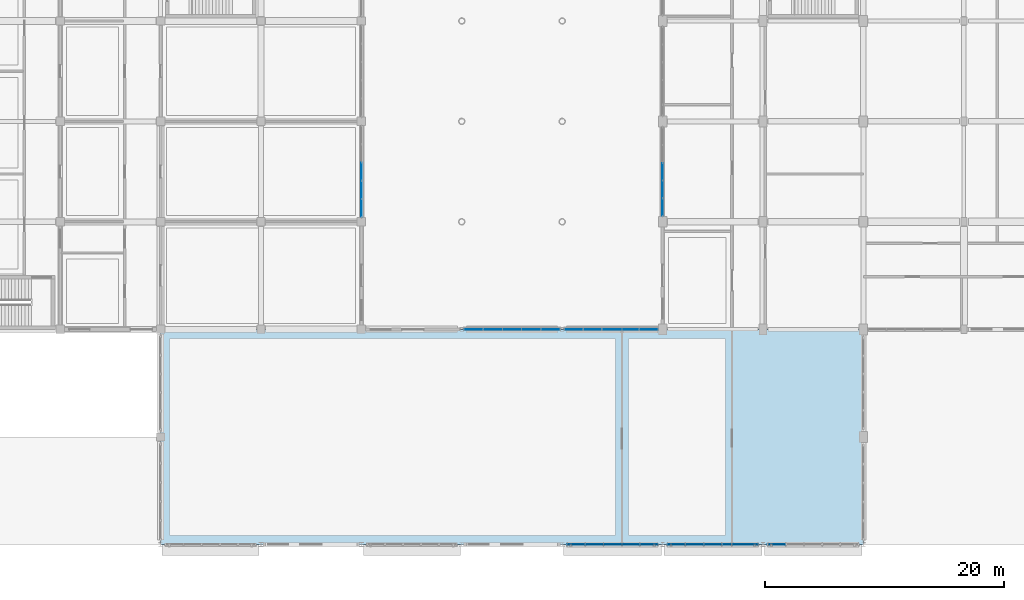
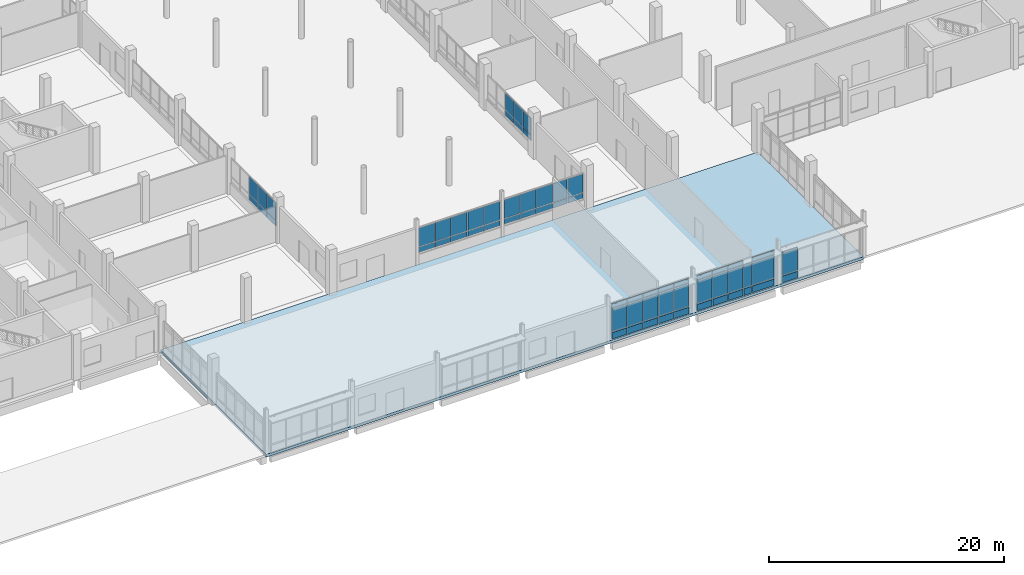
# One storey, part 64 of 95: 63 plates, 1 slab, 7 elements without a shape of their own.
"""IFC4 building model written with IfcOpenShell, lengths in metres."""

from ifc_helpers import new_model, si_unit, direction, frame, origin, origin_2d, place, context, subcontext, project, spatial, polyline, rectangle, outline, extrude, material, layer, layer_set, type_object, element, aggregate, save


model = new_model("IFC4")

# Units and contexts
model_context = context("Model", 3, precision=1e-05, world=origin(), true_north=direction((0.0, 1.0)))
body_context = subcontext(model_context, "Body", "Model", "MODEL_VIEW")
ifc_project = project(units=[si_unit("LENGTHUNIT", "METRE"), si_unit("AREAUNIT", "SQUARE_METRE"), si_unit("VOLUMEUNIT", "CUBIC_METRE"), si_unit("PLANEANGLEUNIT", "RADIAN"), si_unit("MASSUNIT", "GRAM", prefix="KILO")], contexts=[model_context])

# Site, building, storey
site_placement = place(None, origin())
site = spatial("IfcSite", under=ifc_project, at=site_placement, CompositionType="ELEMENT")
building_placement = place(site_placement, origin())
building = spatial("IfcBuilding", under=site, at=building_placement, Name="Vireocrest Preparatory School", CompositionType="ELEMENT")
storey_placement = place(building_placement, origin())
storey = spatial("IfcBuildingStorey", under=building, at=storey_placement, Name="L00", CompositionType="ELEMENT", Elevation=0.0)

# Slab
ifc_material_1 = material(Name="Concrete 40 MPa", Category="concrete")
ifc_layer_1 = layer(ifc_material_1, 0.280029296875)
ifc_layer_set_1 = layer_set([ifc_layer_1], Name="Concrete 40 MPa")
slab_type = type_object("IfcSlabType", Name="Commons and Corridor Suspended RC Slab 280", PredefinedType="FLOOR", material=ifc_layer_set_1)
slab_placement = place(storey_placement, frame((0.0, 0.0, -0.280029296875)))
element("IfcSlab", 1, at=slab_placement, inside=storey, type_object=slab_type, Name="Slab L00_DINING_HALL", PredefinedType="FLOOR", context=body_context, shape_type="SweptSolid", body=[
    extrude(outline(polyline([(50.39990234375, 0.0), (109.199951171875, 0.0), (109.199951171875, 18.0), (50.39990234375, 18.0), (50.39990234375, 0.0)])), origin(), (0.0, 0.0, 1.0), 0.280029296875),
])

# Curtain wall, plates
ifc_material_2 = material(Name="Thermally broken aluminium EN AW-6063-T6", Category="aluminium")
ifc_layer_2 = layer(ifc_material_2, 0.179931640625)
ifc_layer_set_2 = layer_set([ifc_layer_2], Name="Thermally broken aluminium EN AW-6063-T6")
curtain_wall_type_1 = type_object("IfcCurtainWallType", Name="Dining Garden Storefront 8400x4400", PredefinedType="USERDEFINED", material=ifc_layer_set_2)
curtain_wall_1_placement = place(storey_placement, origin())
curtain_wall_1 = element("IfcCurtainWall", 2, at=curtain_wall_1_placement, inside=storey, type_object=curtain_wall_type_1, Name="Curtain Wall CW10 CW_L00_CW10_0843_0000_000", ObjectType="CURTAIN WALL", PredefinedType="USERDEFINED")
ifc_material_3 = material(Name="Painted white aluminium cladding EN AW-6063-T6", Category="aluminium")
ifc_layer_3 = layer(ifc_material_3, 0.114990234375)
ifc_layer_set_3 = layer_set([ifc_layer_3], Name="Painted white aluminium cladding EN AW-6063-T6")
plate_type_1 = type_object("IfcPlateType", Name="Insulated White Spandrel Curtain Panel 115", PredefinedType="CURTAIN_PANEL", material=ifc_layer_set_3)
plate_1_placement = place(storey_placement, frame((85.16845703125, 0.0, 0.12744140625), z_axis=(0.0, 0.0, 1.0), x_axis=(1.0, 0.0, 0.0)))
plate_1 = element("IfcPlate", 3, at=plate_1_placement, type_object=plate_type_1, Name="CW Panel SP2 CW_L00_CW10_0843_0000_000-1-1", PredefinedType="CURTAIN_PANEL", context=body_context, shape_type="SweptSolid", body=[
    extrude(rectangle(XDim=1.456787109375, YDim=0.114990234375, at=origin_2d()), origin(), (0.0, 0.0, 1.0), 0.68994140625),
])
plate_2_placement = place(storey_placement, frame((86.690185546875, 0.0, 0.12744140625), z_axis=(0.0, 0.0, 1.0), x_axis=(1.0, 0.0, 0.0)))
plate_2 = element("IfcPlate", 4, at=plate_2_placement, type_object=plate_type_1, Name="CW Panel SP2 CW_L00_CW10_0843_0000_000-2-1", PredefinedType="CURTAIN_PANEL", context=body_context, shape_type="SweptSolid", body=[
    extrude(rectangle(XDim=1.456787109375, YDim=0.114990234375, at=origin_2d()), origin(), (0.0, 0.0, 1.0), 0.68994140625),
])
plate_3_placement = place(storey_placement, frame((88.2255859375, 0.0, 0.12744140625), z_axis=(0.0, 0.0, 1.0), x_axis=(1.0, 0.0, 0.0)))
plate_3 = element("IfcPlate", 5, at=plate_3_placement, type_object=plate_type_1, Name="CW Panel SP2 CW_L00_CW10_0843_0000_000-3-1", PredefinedType="CURTAIN_PANEL", context=body_context, shape_type="SweptSolid", body=[
    extrude(rectangle(XDim=1.483642578125, YDim=0.114990234375, at=origin_2d()), origin(), (0.0, 0.0, 1.0), 0.68994140625),
])
plate_4_placement = place(storey_placement, frame((89.74755859375, 0.0, 0.12744140625), z_axis=(0.0, 0.0, 1.0), x_axis=(1.0, 0.0, 0.0)))
plate_4 = element("IfcPlate", 6, at=plate_4_placement, type_object=plate_type_1, Name="CW Panel SP2 CW_L00_CW10_0843_0000_000-4-1", PredefinedType="CURTAIN_PANEL", context=body_context, shape_type="SweptSolid", body=[
    extrude(rectangle(XDim=1.43017578125, YDim=0.114990234375, at=origin_2d()), origin(), (0.0, 0.0, 1.0), 0.68994140625),
])
plate_5_placement = place(storey_placement, frame((91.256103515625, 0.0, 0.12744140625), z_axis=(0.0, 0.0, 1.0), x_axis=(1.0, 0.0, 0.0)))
plate_5 = element("IfcPlate", 7, at=plate_5_placement, type_object=plate_type_1, Name="CW Panel SP2 CW_L00_CW10_0843_0000_000-5-1", PredefinedType="CURTAIN_PANEL", context=body_context, shape_type="SweptSolid", body=[
    extrude(rectangle(XDim=1.456787109375, YDim=0.114990234375, at=origin_2d()), origin(), (0.0, 0.0, 1.0), 0.68994140625),
])

curtain_wall_2_placement = place(storey_placement, origin())
curtain_wall_2 = element("IfcCurtainWall", 8, at=curtain_wall_2_placement, inside=storey, type_object=curtain_wall_type_1, Name="Curtain Wall CW10 CW_L00_CW10_0927_0000_000", ObjectType="CURTAIN WALL", PredefinedType="USERDEFINED")
plate_6_placement = place(storey_placement, frame((93.54638671875, 0.0, 0.12744140625), z_axis=(0.0, 0.0, 1.0), x_axis=(1.0, 0.0, 0.0)))
plate_6 = element("IfcPlate", 9, at=plate_6_placement, type_object=plate_type_1, Name="CW Panel SP2 CW_L00_CW10_0927_0000_000-1-1", PredefinedType="CURTAIN_PANEL", context=body_context, shape_type="SweptSolid", body=[
    extrude(rectangle(XDim=1.4619140625, YDim=0.114990234375, at=origin_2d()), origin(), (0.0, 0.0, 1.0), 0.68994140625),
])
plate_7_placement = place(storey_placement, frame((95.0732421875, 0.0, 0.12744140625), z_axis=(0.0, 0.0, 1.0), x_axis=(1.0, 0.0, 0.0)))
plate_7 = element("IfcPlate", 10, at=plate_7_placement, type_object=plate_type_1, Name="CW Panel SP2 CW_L00_CW10_0927_0000_000-2-1", PredefinedType="CURTAIN_PANEL", context=body_context, shape_type="SweptSolid", body=[
    extrude(rectangle(XDim=1.4619140625, YDim=0.114990234375, at=origin_2d()), origin(), (0.0, 0.0, 1.0), 0.68994140625),
])
plate_8_placement = place(storey_placement, frame((96.60009765625, 0.0, 0.12744140625), z_axis=(0.0, 0.0, 1.0), x_axis=(1.0, 0.0, 0.0)))
plate_8 = element("IfcPlate", 11, at=plate_8_placement, type_object=plate_type_1, Name="CW Panel SP2 CW_L00_CW10_0927_0000_000-3-1", PredefinedType="CURTAIN_PANEL", context=body_context, shape_type="SweptSolid", body=[
    extrude(rectangle(XDim=1.4619140625, YDim=0.114990234375, at=origin_2d()), origin(), (0.0, 0.0, 1.0), 0.68994140625),
])
plate_9_placement = place(storey_placement, frame((97.78173828125, 0.0, 0.12744140625), z_axis=(0.0, 0.0, 1.0), x_axis=(1.0, 0.0, 0.0)))
plate_9 = element("IfcPlate", 12, at=plate_9_placement, type_object=plate_type_1, Name="CW Panel SP2 CW_L00_CW10_0927_0000_000-4-1", PredefinedType="CURTAIN_PANEL", context=body_context, shape_type="SweptSolid", body=[
    extrude(rectangle(XDim=0.771484375, YDim=0.114990234375, at=origin_2d()), origin(), (0.0, 0.0, 1.0), 0.68994140625),
])
plate_10_placement = place(storey_placement, frame((99.30859375, 0.0, 0.12744140625), z_axis=(0.0, 0.0, 1.0), x_axis=(1.0, 0.0, 0.0)))
plate_10 = element("IfcPlate", 13, at=plate_10_placement, type_object=plate_type_1, Name="CW Panel SP2 CW_L00_CW10_0927_0000_000-5-1", PredefinedType="CURTAIN_PANEL", context=body_context, shape_type="SweptSolid", body=[
    extrude(rectangle(XDim=2.152099609375, YDim=0.114990234375, at=origin_2d()), origin(), (0.0, 0.0, 1.0), 0.68994140625),
])

# Curtain wall, plate
curtain_wall_3_placement = place(storey_placement, origin())
curtain_wall_3 = element("IfcCurtainWall", 14, at=curtain_wall_3_placement, inside=storey, type_object=curtain_wall_type_1, Name="Curtain Wall CW10 CW_L00_CW10_1011_0000_000", ObjectType="CURTAIN WALL", PredefinedType="USERDEFINED")
plate_11_placement = place(storey_placement, frame((101.944091796875, 0.0, 0.12744140625), z_axis=(0.0, 0.0, 1.0), x_axis=(1.0, 0.0, 0.0)))
plate_11 = element("IfcPlate", 15, at=plate_11_placement, type_object=plate_type_1, Name="CW Panel SP2 CW_L00_CW10_1011_0000_000-1-1", PredefinedType="CURTAIN_PANEL", context=body_context, shape_type="SweptSolid", body=[
    extrude(rectangle(XDim=1.456787109375, YDim=0.114990234375, at=origin_2d()), origin(), (0.0, 0.0, 1.0), 0.68994140625),
])

# Plate
ifc_material_4 = material(Name="Insulated triple low-e tempered safety glass", Category="glass")
ifc_layer_4 = layer(ifc_material_4, 0.06005859375)
ifc_layer_set_4 = layer_set([ifc_layer_4], Name="Insulated triple low-e tempered safety glass")
plate_type_2 = type_object("IfcPlateType", Name="Triple-Glazed Vision Curtain Panel 60", PredefinedType="CURTAIN_PANEL", material=ifc_layer_set_4)
plate_12_placement = place(storey_placement, frame((85.16845703125, 0.0, 0.88232421875), z_axis=(0.0, 0.0, 1.0), x_axis=(1.0, 0.0, 0.0)))
plate_12 = element("IfcPlate", 16, at=plate_12_placement, type_object=plate_type_2, Name="CW Panel GL1 CW_L00_CW10_0843_0000_000-1-2", PredefinedType="CURTAIN_PANEL", context=body_context, shape_type="SweptSolid", body=[
    extrude(rectangle(XDim=1.456787109375, YDim=0.06005859375, at=origin_2d()), origin(), (0.0, 0.0, 1.0), 2.412109375),
])

plate_13_placement = place(storey_placement, frame((85.16845703125, 0.0, 3.359375), z_axis=(0.0, 0.0, 1.0), x_axis=(1.0, 0.0, 0.0)))
plate_13 = element("IfcPlate", 17, at=plate_13_placement, type_object=plate_type_2, Name="CW Panel GL1 CW_L00_CW10_0843_0000_000-1-3", PredefinedType="CURTAIN_PANEL", context=body_context, shape_type="SweptSolid", body=[
    extrude(rectangle(XDim=1.456787109375, YDim=0.06005859375, at=origin_2d()), origin(), (0.0, 0.0, 1.0), 0.409912109375),
])

plate_14_placement = place(storey_placement, frame((86.690185546875, 0.0, 0.88232421875), z_axis=(0.0, 0.0, 1.0), x_axis=(1.0, 0.0, 0.0)))
plate_14 = element("IfcPlate", 18, at=plate_14_placement, type_object=plate_type_2, Name="CW Panel GL1 CW_L00_CW10_0843_0000_000-2-2", PredefinedType="CURTAIN_PANEL", context=body_context, shape_type="SweptSolid", body=[
    extrude(rectangle(XDim=1.456787109375, YDim=0.06005859375, at=origin_2d()), origin(), (0.0, 0.0, 1.0), 2.412109375),
])

plate_15_placement = place(storey_placement, frame((86.690185546875, 0.0, 3.359375), z_axis=(0.0, 0.0, 1.0), x_axis=(1.0, 0.0, 0.0)))
plate_15 = element("IfcPlate", 19, at=plate_15_placement, type_object=plate_type_2, Name="CW Panel GL1 CW_L00_CW10_0843_0000_000-2-3", PredefinedType="CURTAIN_PANEL", context=body_context, shape_type="SweptSolid", body=[
    extrude(rectangle(XDim=1.456787109375, YDim=0.06005859375, at=origin_2d()), origin(), (0.0, 0.0, 1.0), 0.409912109375),
])

plate_16_placement = place(storey_placement, frame((88.2255859375, 0.0, 0.88232421875), z_axis=(0.0, 0.0, 1.0), x_axis=(1.0, 0.0, 0.0)))
plate_16 = element("IfcPlate", 20, at=plate_16_placement, type_object=plate_type_2, Name="CW Panel GL1 CW_L00_CW10_0843_0000_000-3-2", PredefinedType="CURTAIN_PANEL", context=body_context, shape_type="SweptSolid", body=[
    extrude(rectangle(XDim=1.483642578125, YDim=0.06005859375, at=origin_2d()), origin(), (0.0, 0.0, 1.0), 2.412109375),
])

plate_17_placement = place(storey_placement, frame((88.2255859375, 0.0, 3.359375), z_axis=(0.0, 0.0, 1.0), x_axis=(1.0, 0.0, 0.0)))
plate_17 = element("IfcPlate", 21, at=plate_17_placement, type_object=plate_type_2, Name="CW Panel GL1 CW_L00_CW10_0843_0000_000-3-3", PredefinedType="CURTAIN_PANEL", context=body_context, shape_type="SweptSolid", body=[
    extrude(rectangle(XDim=1.483642578125, YDim=0.06005859375, at=origin_2d()), origin(), (0.0, 0.0, 1.0), 0.409912109375),
])

plate_18_placement = place(storey_placement, frame((89.74755859375, 0.0, 0.88232421875), z_axis=(0.0, 0.0, 1.0), x_axis=(1.0, 0.0, 0.0)))
plate_18 = element("IfcPlate", 22, at=plate_18_placement, type_object=plate_type_2, Name="CW Panel GL1 CW_L00_CW10_0843_0000_000-4-2", PredefinedType="CURTAIN_PANEL", context=body_context, shape_type="SweptSolid", body=[
    extrude(rectangle(XDim=1.43017578125, YDim=0.06005859375, at=origin_2d()), origin(), (0.0, 0.0, 1.0), 2.412109375),
])

plate_19_placement = place(storey_placement, frame((89.74755859375, 0.0, 3.359375), z_axis=(0.0, 0.0, 1.0), x_axis=(1.0, 0.0, 0.0)))
plate_19 = element("IfcPlate", 23, at=plate_19_placement, type_object=plate_type_2, Name="CW Panel GL1 CW_L00_CW10_0843_0000_000-4-3", PredefinedType="CURTAIN_PANEL", context=body_context, shape_type="SweptSolid", body=[
    extrude(rectangle(XDim=1.43017578125, YDim=0.06005859375, at=origin_2d()), origin(), (0.0, 0.0, 1.0), 0.409912109375),
])

plate_20_placement = place(storey_placement, frame((91.256103515625, 0.0, 0.88232421875), z_axis=(0.0, 0.0, 1.0), x_axis=(1.0, 0.0, 0.0)))
plate_20 = element("IfcPlate", 24, at=plate_20_placement, type_object=plate_type_2, Name="CW Panel GL1 CW_L00_CW10_0843_0000_000-5-2", PredefinedType="CURTAIN_PANEL", context=body_context, shape_type="SweptSolid", body=[
    extrude(rectangle(XDim=1.456787109375, YDim=0.06005859375, at=origin_2d()), origin(), (0.0, 0.0, 1.0), 2.412109375),
])

plate_21_placement = place(storey_placement, frame((91.256103515625, 0.0, 3.359375), z_axis=(0.0, 0.0, 1.0), x_axis=(1.0, 0.0, 0.0)))
plate_21 = element("IfcPlate", 25, at=plate_21_placement, type_object=plate_type_2, Name="CW Panel GL1 CW_L00_CW10_0843_0000_000-5-3", PredefinedType="CURTAIN_PANEL", context=body_context, shape_type="SweptSolid", body=[
    extrude(rectangle(XDim=1.456787109375, YDim=0.06005859375, at=origin_2d()), origin(), (0.0, 0.0, 1.0), 0.409912109375),
])

aggregate(curtain_wall_1, [plate_1, plate_12, plate_13, plate_2, plate_14, plate_15, plate_3, plate_16, plate_17, plate_4, plate_18, plate_19, plate_5, plate_20, plate_21])

plate_22_placement = place(storey_placement, frame((93.54638671875, 0.0, 0.88232421875), z_axis=(0.0, 0.0, 1.0), x_axis=(1.0, 0.0, 0.0)))
plate_22 = element("IfcPlate", 26, at=plate_22_placement, type_object=plate_type_2, Name="CW Panel GL1 CW_L00_CW10_0927_0000_000-1-2", PredefinedType="CURTAIN_PANEL", context=body_context, shape_type="SweptSolid", body=[
    extrude(rectangle(XDim=1.4619140625, YDim=0.06005859375, at=origin_2d()), origin(), (0.0, 0.0, 1.0), 2.412109375),
])

plate_23_placement = place(storey_placement, frame((93.54638671875, 0.0, 3.359375), z_axis=(0.0, 0.0, 1.0), x_axis=(1.0, 0.0, 0.0)))
plate_23 = element("IfcPlate", 27, at=plate_23_placement, type_object=plate_type_2, Name="CW Panel GL1 CW_L00_CW10_0927_0000_000-1-3", PredefinedType="CURTAIN_PANEL", context=body_context, shape_type="SweptSolid", body=[
    extrude(rectangle(XDim=1.4619140625, YDim=0.06005859375, at=origin_2d()), origin(), (0.0, 0.0, 1.0), 0.409912109375),
])

plate_24_placement = place(storey_placement, frame((95.0732421875, 0.0, 0.88232421875), z_axis=(0.0, 0.0, 1.0), x_axis=(1.0, 0.0, 0.0)))
plate_24 = element("IfcPlate", 28, at=plate_24_placement, type_object=plate_type_2, Name="CW Panel GL1 CW_L00_CW10_0927_0000_000-2-2", PredefinedType="CURTAIN_PANEL", context=body_context, shape_type="SweptSolid", body=[
    extrude(rectangle(XDim=1.4619140625, YDim=0.06005859375, at=origin_2d()), origin(), (0.0, 0.0, 1.0), 2.412109375),
])

plate_25_placement = place(storey_placement, frame((95.0732421875, 0.0, 3.359375), z_axis=(0.0, 0.0, 1.0), x_axis=(1.0, 0.0, 0.0)))
plate_25 = element("IfcPlate", 29, at=plate_25_placement, type_object=plate_type_2, Name="CW Panel GL1 CW_L00_CW10_0927_0000_000-2-3", PredefinedType="CURTAIN_PANEL", context=body_context, shape_type="SweptSolid", body=[
    extrude(rectangle(XDim=1.4619140625, YDim=0.06005859375, at=origin_2d()), origin(), (0.0, 0.0, 1.0), 0.409912109375),
])

plate_26_placement = place(storey_placement, frame((96.60009765625, 0.0, 0.88232421875), z_axis=(0.0, 0.0, 1.0), x_axis=(1.0, 0.0, 0.0)))
plate_26 = element("IfcPlate", 30, at=plate_26_placement, type_object=plate_type_2, Name="CW Panel GL1 CW_L00_CW10_0927_0000_000-3-2", PredefinedType="CURTAIN_PANEL", context=body_context, shape_type="SweptSolid", body=[
    extrude(rectangle(XDim=1.4619140625, YDim=0.06005859375, at=origin_2d()), origin(), (0.0, 0.0, 1.0), 2.412109375),
])

plate_27_placement = place(storey_placement, frame((96.60009765625, 0.0, 3.359375), z_axis=(0.0, 0.0, 1.0), x_axis=(1.0, 0.0, 0.0)))
plate_27 = element("IfcPlate", 31, at=plate_27_placement, type_object=plate_type_2, Name="CW Panel GL1 CW_L00_CW10_0927_0000_000-3-3", PredefinedType="CURTAIN_PANEL", context=body_context, shape_type="SweptSolid", body=[
    extrude(rectangle(XDim=1.4619140625, YDim=0.06005859375, at=origin_2d()), origin(), (0.0, 0.0, 1.0), 0.409912109375),
])

plate_28_placement = place(storey_placement, frame((97.78173828125, 0.0, 0.88232421875), z_axis=(0.0, 0.0, 1.0), x_axis=(1.0, 0.0, 0.0)))
plate_28 = element("IfcPlate", 32, at=plate_28_placement, type_object=plate_type_2, Name="CW Panel GL1 CW_L00_CW10_0927_0000_000-4-2", PredefinedType="CURTAIN_PANEL", context=body_context, shape_type="SweptSolid", body=[
    extrude(rectangle(XDim=0.771484375, YDim=0.06005859375, at=origin_2d()), origin(), (0.0, 0.0, 1.0), 2.412109375),
])

plate_29_placement = place(storey_placement, frame((99.30859375, 0.0, 0.88232421875), z_axis=(0.0, 0.0, 1.0), x_axis=(1.0, 0.0, 0.0)))
plate_29 = element("IfcPlate", 33, at=plate_29_placement, type_object=plate_type_2, Name="CW Panel GL1 CW_L00_CW10_0927_0000_000-5-2", PredefinedType="CURTAIN_PANEL", context=body_context, shape_type="SweptSolid", body=[
    extrude(rectangle(XDim=2.152099609375, YDim=0.06005859375, at=origin_2d()), origin(), (0.0, 0.0, 1.0), 2.412109375),
])

plate_30_placement = place(storey_placement, frame((99.30859375, 0.0, 3.359375), z_axis=(0.0, 0.0, 1.0), x_axis=(1.0, 0.0, 0.0)))
plate_30 = element("IfcPlate", 34, at=plate_30_placement, type_object=plate_type_2, Name="CW Panel GL1 CW_L00_CW10_0927_0000_000-5-3", PredefinedType="CURTAIN_PANEL", context=body_context, shape_type="SweptSolid", body=[
    extrude(rectangle(XDim=2.152099609375, YDim=0.06005859375, at=origin_2d()), origin(), (0.0, 0.0, 1.0), 0.409912109375),
])

aggregate(curtain_wall_2, [plate_6, plate_22, plate_23, plate_7, plate_24, plate_25, plate_8, plate_26, plate_27, plate_9, plate_28, plate_10, plate_29, plate_30])

plate_31_placement = place(storey_placement, frame((101.944091796875, 0.0, 0.88232421875), z_axis=(0.0, 0.0, 1.0), x_axis=(1.0, 0.0, 0.0)))
plate_31 = element("IfcPlate", 35, at=plate_31_placement, type_object=plate_type_2, Name="CW Panel GL1 CW_L00_CW10_1011_0000_000-1-2", PredefinedType="CURTAIN_PANEL", context=body_context, shape_type="SweptSolid", body=[
    extrude(rectangle(XDim=1.456787109375, YDim=0.06005859375, at=origin_2d()), origin(), (0.0, 0.0, 1.0), 2.412109375),
])

aggregate(curtain_wall_3, [plate_11, plate_31])

# Curtain wall, plates
ifc_layer_5 = layer(ifc_material_2, 0.179931640625)
ifc_layer_set_5 = layer_set([ifc_layer_5], Name="Thermally broken aluminium EN AW-6063-T6")
curtain_wall_type_2 = type_object("IfcCurtainWallType", Name="Court Banded Curtain Wall 8400x3600", PredefinedType="USERDEFINED", material=ifc_layer_set_5)
curtain_wall_4_placement = place(storey_placement, origin())
curtain_wall_4 = element("IfcCurtainWall", 36, at=curtain_wall_4_placement, inside=storey, type_object=curtain_wall_type_2, Name="Curtain Wall CW01 CW_L00_CW01_0672_0273_012", ObjectType="CURTAIN WALL", PredefinedType="USERDEFINED")
plate_32_placement = place(storey_placement, frame((67.199951171875, 28.14794921875, 1.277587890625), z_axis=(0.0, 0.0, 1.0), x_axis=(0.0, 1.0, 0.0)))
plate_32 = element("IfcPlate", 37, at=plate_32_placement, type_object=plate_type_2, Name="CW Panel GL1 CW_L00_CW01_0672_0273_012-1-1", PredefinedType="CURTAIN_PANEL", context=body_context, shape_type="SweptSolid", body=[
    extrude(rectangle(XDim=1.4609375, YDim=0.06005859375, at=origin_2d()), origin(), (0.0, 0.0, 1.0), 0.5400390625),
])
plate_33_placement = place(storey_placement, frame((67.199951171875, 28.14794921875, 1.88232421875), z_axis=(0.0, 0.0, 1.0), x_axis=(0.0, 1.0, 0.0)))
plate_33 = element("IfcPlate", 38, at=plate_33_placement, type_object=plate_type_2, Name="CW Panel GL1 CW_L00_CW01_0672_0273_012-1-2", PredefinedType="CURTAIN_PANEL", context=body_context, shape_type="SweptSolid", body=[
    extrude(rectangle(XDim=1.4609375, YDim=0.06005859375, at=origin_2d()), origin(), (0.0, 0.0, 1.0), 1.820068359375),
])
plate_34_placement = place(storey_placement, frame((67.199951171875, 29.674072265625, 1.277587890625), z_axis=(0.0, 0.0, 1.0), x_axis=(0.0, 1.0, 0.0)))
plate_34 = element("IfcPlate", 39, at=plate_34_placement, type_object=plate_type_2, Name="CW Panel GL1 CW_L00_CW01_0672_0273_012-2-1", PredefinedType="CURTAIN_PANEL", context=body_context, shape_type="SweptSolid", body=[
    extrude(rectangle(XDim=1.4609375, YDim=0.06005859375, at=origin_2d()), origin(), (0.0, 0.0, 1.0), 0.5400390625),
])
plate_35_placement = place(storey_placement, frame((67.199951171875, 29.674072265625, 1.88232421875), z_axis=(0.0, 0.0, 1.0), x_axis=(0.0, 1.0, 0.0)))
plate_35 = element("IfcPlate", 40, at=plate_35_placement, type_object=plate_type_2, Name="CW Panel GL1 CW_L00_CW01_0672_0273_012-2-2", PredefinedType="CURTAIN_PANEL", context=body_context, shape_type="SweptSolid", body=[
    extrude(rectangle(XDim=1.4609375, YDim=0.06005859375, at=origin_2d()), origin(), (0.0, 0.0, 1.0), 1.820068359375),
])
plate_36_placement = place(storey_placement, frame((67.199951171875, 31.199951171875, 1.277587890625), z_axis=(0.0, 0.0, 1.0), x_axis=(0.0, 1.0, 0.0)))
plate_36 = element("IfcPlate", 41, at=plate_36_placement, type_object=plate_type_2, Name="CW Panel GL1 CW_L00_CW01_0672_0273_012-3-1", PredefinedType="CURTAIN_PANEL", context=body_context, shape_type="SweptSolid", body=[
    extrude(rectangle(XDim=1.4609375, YDim=0.06005859375, at=origin_2d()), origin(), (0.0, 0.0, 1.0), 0.5400390625),
])
plate_37_placement = place(storey_placement, frame((67.199951171875, 31.199951171875, 1.88232421875), z_axis=(0.0, 0.0, 1.0), x_axis=(0.0, 1.0, 0.0)))
plate_37 = element("IfcPlate", 42, at=plate_37_placement, type_object=plate_type_2, Name="CW Panel GL1 CW_L00_CW01_0672_0273_012-3-2", PredefinedType="CURTAIN_PANEL", context=body_context, shape_type="SweptSolid", body=[
    extrude(rectangle(XDim=1.4609375, YDim=0.06005859375, at=origin_2d()), origin(), (0.0, 0.0, 1.0), 1.820068359375),
])
aggregate(curtain_wall_4, [plate_32, plate_33, plate_34, plate_35, plate_36, plate_37])

curtain_wall_5_placement = place(storey_placement, origin())
curtain_wall_5 = element("IfcCurtainWall", 43, at=curtain_wall_5_placement, inside=storey, type_object=curtain_wall_type_2, Name="Curtain Wall CW01 CW_L00_CW01_0924_0274_012", ObjectType="CURTAIN WALL", PredefinedType="USERDEFINED")
plate_38_placement = place(storey_placement, frame((92.39990234375, 28.22802734375, 1.277587890625), z_axis=(0.0, 0.0, 1.0), x_axis=(0.0, 1.0, 0.0)))
plate_38 = element("IfcPlate", 44, at=plate_38_placement, type_object=plate_type_2, Name="CW Panel GL1 CW_L00_CW01_0924_0274_012-1-1", PredefinedType="CURTAIN_PANEL", context=body_context, shape_type="SweptSolid", body=[
    extrude(rectangle(XDim=1.4208984375, YDim=0.06005859375, at=origin_2d()), origin(), (0.0, 0.0, 1.0), 0.5400390625),
])
plate_39_placement = place(storey_placement, frame((92.39990234375, 28.22802734375, 1.88232421875), z_axis=(0.0, 0.0, 1.0), x_axis=(0.0, 1.0, 0.0)))
plate_39 = element("IfcPlate", 45, at=plate_39_placement, type_object=plate_type_2, Name="CW Panel GL1 CW_L00_CW01_0924_0274_012-1-2", PredefinedType="CURTAIN_PANEL", context=body_context, shape_type="SweptSolid", body=[
    extrude(rectangle(XDim=1.4208984375, YDim=0.06005859375, at=origin_2d()), origin(), (0.0, 0.0, 1.0), 1.699951171875),
])
plate_40_placement = place(storey_placement, frame((92.39990234375, 29.714111328125, 1.277587890625), z_axis=(0.0, 0.0, 1.0), x_axis=(0.0, 1.0, 0.0)))
plate_40 = element("IfcPlate", 46, at=plate_40_placement, type_object=plate_type_2, Name="CW Panel GL1 CW_L00_CW01_0924_0274_012-2-1", PredefinedType="CURTAIN_PANEL", context=body_context, shape_type="SweptSolid", body=[
    extrude(rectangle(XDim=1.4208984375, YDim=0.06005859375, at=origin_2d()), origin(), (0.0, 0.0, 1.0), 0.5400390625),
])
plate_41_placement = place(storey_placement, frame((92.39990234375, 29.714111328125, 1.88232421875), z_axis=(0.0, 0.0, 1.0), x_axis=(0.0, 1.0, 0.0)))
plate_41 = element("IfcPlate", 47, at=plate_41_placement, type_object=plate_type_2, Name="CW Panel GL1 CW_L00_CW01_0924_0274_012-2-2", PredefinedType="CURTAIN_PANEL", context=body_context, shape_type="SweptSolid", body=[
    extrude(rectangle(XDim=1.4208984375, YDim=0.06005859375, at=origin_2d()), origin(), (0.0, 0.0, 1.0), 1.699951171875),
])
plate_42_placement = place(storey_placement, frame((92.39990234375, 31.199951171875, 1.277587890625), z_axis=(0.0, 0.0, 1.0), x_axis=(0.0, 1.0, 0.0)))
plate_42 = element("IfcPlate", 48, at=plate_42_placement, type_object=plate_type_2, Name="CW Panel GL1 CW_L00_CW01_0924_0274_012-3-1", PredefinedType="CURTAIN_PANEL", context=body_context, shape_type="SweptSolid", body=[
    extrude(rectangle(XDim=1.4208984375, YDim=0.06005859375, at=origin_2d()), origin(), (0.0, 0.0, 1.0), 0.5400390625),
])
plate_43_placement = place(storey_placement, frame((92.39990234375, 31.199951171875, 1.88232421875), z_axis=(0.0, 0.0, 1.0), x_axis=(0.0, 1.0, 0.0)))
plate_43 = element("IfcPlate", 49, at=plate_43_placement, type_object=plate_type_2, Name="CW Panel GL1 CW_L00_CW01_0924_0274_012-3-2", PredefinedType="CURTAIN_PANEL", context=body_context, shape_type="SweptSolid", body=[
    extrude(rectangle(XDim=1.4208984375, YDim=0.06005859375, at=origin_2d()), origin(), (0.0, 0.0, 1.0), 1.699951171875),
])
aggregate(curtain_wall_5, [plate_38, plate_39, plate_40, plate_41, plate_42, plate_43])

curtain_wall_6_placement = place(storey_placement, origin())
curtain_wall_6 = element("IfcCurtainWall", 50, at=curtain_wall_6_placement, inside=storey, type_object=curtain_wall_type_2, Name="Curtain Wall CW01 CW_L00_CW01_0757_0180_011", ObjectType="CURTAIN WALL", PredefinedType="USERDEFINED")
plate_44_placement = place(storey_placement, frame((76.58984375, 18.0, 1.2275390625), z_axis=(0.0, 0.0, 1.0), x_axis=(1.0, 0.0, 0.0)))
plate_44 = element("IfcPlate", 51, at=plate_44_placement, type_object=plate_type_2, Name="CW Panel GL1 CW_L00_CW01_0757_0180_011-1-1", PredefinedType="CURTAIN_PANEL", context=body_context, shape_type="SweptSolid", body=[
    extrude(rectangle(XDim=1.5400390625, YDim=0.06005859375, at=origin_2d()), origin(), (0.0, 0.0, 1.0), 0.5400390625),
])
plate_45_placement = place(storey_placement, frame((76.58984375, 18.0, 1.83251953125), z_axis=(0.0, 0.0, 1.0), x_axis=(1.0, 0.0, 0.0)))
plate_45 = element("IfcPlate", 52, at=plate_45_placement, type_object=plate_type_2, Name="CW Panel GL1 CW_L00_CW01_0757_0180_011-1-2", PredefinedType="CURTAIN_PANEL", context=body_context, shape_type="SweptSolid", body=[
    extrude(rectangle(XDim=1.5400390625, YDim=0.06005859375, at=origin_2d()), origin(), (0.0, 0.0, 1.0), 1.93701171875),
])
plate_46_placement = place(storey_placement, frame((78.195068359375, 18.0, 1.2275390625), z_axis=(0.0, 0.0, 1.0), x_axis=(1.0, 0.0, 0.0)))
plate_46 = element("IfcPlate", 53, at=plate_46_placement, type_object=plate_type_2, Name="CW Panel GL1 CW_L00_CW01_0757_0180_011-2-1", PredefinedType="CURTAIN_PANEL", context=body_context, shape_type="SweptSolid", body=[
    extrude(rectangle(XDim=1.5400390625, YDim=0.06005859375, at=origin_2d()), origin(), (0.0, 0.0, 1.0), 0.5400390625),
])
plate_47_placement = place(storey_placement, frame((78.195068359375, 18.0, 1.83251953125), z_axis=(0.0, 0.0, 1.0), x_axis=(1.0, 0.0, 0.0)))
plate_47 = element("IfcPlate", 54, at=plate_47_placement, type_object=plate_type_2, Name="CW Panel GL1 CW_L00_CW01_0757_0180_011-2-2", PredefinedType="CURTAIN_PANEL", context=body_context, shape_type="SweptSolid", body=[
    extrude(rectangle(XDim=1.5400390625, YDim=0.06005859375, at=origin_2d()), origin(), (0.0, 0.0, 1.0), 1.93701171875),
])
plate_48_placement = place(storey_placement, frame((79.800048828125, 18.0, 1.2275390625), z_axis=(0.0, 0.0, 1.0), x_axis=(1.0, 0.0, 0.0)))
plate_48 = element("IfcPlate", 55, at=plate_48_placement, type_object=plate_type_2, Name="CW Panel GL1 CW_L00_CW01_0757_0180_011-3-1", PredefinedType="CURTAIN_PANEL", context=body_context, shape_type="SweptSolid", body=[
    extrude(rectangle(XDim=1.5400390625, YDim=0.06005859375, at=origin_2d()), origin(), (0.0, 0.0, 1.0), 0.5400390625),
])
plate_49_placement = place(storey_placement, frame((79.800048828125, 18.0, 1.83251953125), z_axis=(0.0, 0.0, 1.0), x_axis=(1.0, 0.0, 0.0)))
plate_49 = element("IfcPlate", 56, at=plate_49_placement, type_object=plate_type_2, Name="CW Panel GL1 CW_L00_CW01_0757_0180_011-3-2", PredefinedType="CURTAIN_PANEL", context=body_context, shape_type="SweptSolid", body=[
    extrude(rectangle(XDim=1.5400390625, YDim=0.06005859375, at=origin_2d()), origin(), (0.0, 0.0, 1.0), 1.93701171875),
])
plate_50_placement = place(storey_placement, frame((81.405029296875, 18.0, 1.2275390625), z_axis=(0.0, 0.0, 1.0), x_axis=(1.0, 0.0, 0.0)))
plate_50 = element("IfcPlate", 57, at=plate_50_placement, type_object=plate_type_2, Name="CW Panel GL1 CW_L00_CW01_0757_0180_011-4-1", PredefinedType="CURTAIN_PANEL", context=body_context, shape_type="SweptSolid", body=[
    extrude(rectangle(XDim=1.5400390625, YDim=0.06005859375, at=origin_2d()), origin(), (0.0, 0.0, 1.0), 0.5400390625),
])
plate_51_placement = place(storey_placement, frame((81.405029296875, 18.0, 1.83251953125), z_axis=(0.0, 0.0, 1.0), x_axis=(1.0, 0.0, 0.0)))
plate_51 = element("IfcPlate", 58, at=plate_51_placement, type_object=plate_type_2, Name="CW Panel GL1 CW_L00_CW01_0757_0180_011-4-2", PredefinedType="CURTAIN_PANEL", context=body_context, shape_type="SweptSolid", body=[
    extrude(rectangle(XDim=1.5400390625, YDim=0.06005859375, at=origin_2d()), origin(), (0.0, 0.0, 1.0), 1.93701171875),
])
plate_52_placement = place(storey_placement, frame((83.010009765625, 18.0, 1.2275390625), z_axis=(0.0, 0.0, 1.0), x_axis=(1.0, 0.0, 0.0)))
plate_52 = element("IfcPlate", 59, at=plate_52_placement, type_object=plate_type_2, Name="CW Panel GL1 CW_L00_CW01_0757_0180_011-5-1", PredefinedType="CURTAIN_PANEL", context=body_context, shape_type="SweptSolid", body=[
    extrude(rectangle(XDim=1.5400390625, YDim=0.06005859375, at=origin_2d()), origin(), (0.0, 0.0, 1.0), 0.5400390625),
])
plate_53_placement = place(storey_placement, frame((83.010009765625, 18.0, 1.83251953125), z_axis=(0.0, 0.0, 1.0), x_axis=(1.0, 0.0, 0.0)))
plate_53 = element("IfcPlate", 60, at=plate_53_placement, type_object=plate_type_2, Name="CW Panel GL1 CW_L00_CW01_0757_0180_011-5-2", PredefinedType="CURTAIN_PANEL", context=body_context, shape_type="SweptSolid", body=[
    extrude(rectangle(XDim=1.5400390625, YDim=0.06005859375, at=origin_2d()), origin(), (0.0, 0.0, 1.0), 1.93701171875),
])
aggregate(curtain_wall_6, [plate_44, plate_45, plate_46, plate_47, plate_48, plate_49, plate_50, plate_51, plate_52, plate_53])

curtain_wall_7_placement = place(storey_placement, origin())
curtain_wall_7 = element("IfcCurtainWall", 61, at=curtain_wall_7_placement, inside=storey, type_object=curtain_wall_type_2, Name="Curtain Wall CW01 CW_L00_CW01_0841_0180_011", ObjectType="CURTAIN WALL", PredefinedType="USERDEFINED")
plate_54_placement = place(storey_placement, frame((84.97021484375, 18.0, 1.2275390625), z_axis=(0.0, 0.0, 1.0), x_axis=(1.0, 0.0, 0.0)))
plate_54 = element("IfcPlate", 62, at=plate_54_placement, type_object=plate_type_2, Name="CW Panel GL1 CW_L00_CW01_0841_0180_011-1-1", PredefinedType="CURTAIN_PANEL", context=body_context, shape_type="SweptSolid", body=[
    extrude(rectangle(XDim=1.50048828125, YDim=0.06005859375, at=origin_2d()), origin(), (0.0, 0.0, 1.0), 0.5400390625),
])
plate_55_placement = place(storey_placement, frame((84.97021484375, 18.0, 1.83251953125), z_axis=(0.0, 0.0, 1.0), x_axis=(1.0, 0.0, 0.0)))
plate_55 = element("IfcPlate", 63, at=plate_55_placement, type_object=plate_type_2, Name="CW Panel GL1 CW_L00_CW01_0841_0180_011-1-2", PredefinedType="CURTAIN_PANEL", context=body_context, shape_type="SweptSolid", body=[
    extrude(rectangle(XDim=1.50048828125, YDim=0.06005859375, at=origin_2d()), origin(), (0.0, 0.0, 1.0), 1.93701171875),
])
plate_56_placement = place(storey_placement, frame((86.53564453125, 18.0, 1.2275390625), z_axis=(0.0, 0.0, 1.0), x_axis=(1.0, 0.0, 0.0)))
plate_56 = element("IfcPlate", 64, at=plate_56_placement, type_object=plate_type_2, Name="CW Panel GL1 CW_L00_CW01_0841_0180_011-2-1", PredefinedType="CURTAIN_PANEL", context=body_context, shape_type="SweptSolid", body=[
    extrude(rectangle(XDim=1.50048828125, YDim=0.06005859375, at=origin_2d()), origin(), (0.0, 0.0, 1.0), 0.5400390625),
])
plate_57_placement = place(storey_placement, frame((86.53564453125, 18.0, 1.83251953125), z_axis=(0.0, 0.0, 1.0), x_axis=(1.0, 0.0, 0.0)))
plate_57 = element("IfcPlate", 65, at=plate_57_placement, type_object=plate_type_2, Name="CW Panel GL1 CW_L00_CW01_0841_0180_011-2-2", PredefinedType="CURTAIN_PANEL", context=body_context, shape_type="SweptSolid", body=[
    extrude(rectangle(XDim=1.50048828125, YDim=0.06005859375, at=origin_2d()), origin(), (0.0, 0.0, 1.0), 1.93701171875),
])
plate_58_placement = place(storey_placement, frame((88.1591796875, 18.0, 1.2275390625), z_axis=(0.0, 0.0, 1.0), x_axis=(1.0, 0.0, 0.0)))
plate_58 = element("IfcPlate", 66, at=plate_58_placement, type_object=plate_type_2, Name="CW Panel GL1 CW_L00_CW01_0841_0180_011-3-1", PredefinedType="CURTAIN_PANEL", context=body_context, shape_type="SweptSolid", body=[
    extrude(rectangle(XDim=1.61669921875, YDim=0.06005859375, at=origin_2d()), origin(), (0.0, 0.0, 1.0), 0.5400390625),
])
plate_59_placement = place(storey_placement, frame((88.1591796875, 18.0, 1.83251953125), z_axis=(0.0, 0.0, 1.0), x_axis=(1.0, 0.0, 0.0)))
plate_59 = element("IfcPlate", 67, at=plate_59_placement, type_object=plate_type_2, Name="CW Panel GL1 CW_L00_CW01_0841_0180_011-3-2", PredefinedType="CURTAIN_PANEL", context=body_context, shape_type="SweptSolid", body=[
    extrude(rectangle(XDim=1.61669921875, YDim=0.06005859375, at=origin_2d()), origin(), (0.0, 0.0, 1.0), 1.93701171875),
])
plate_60_placement = place(storey_placement, frame((89.724853515625, 18.0, 1.2275390625), z_axis=(0.0, 0.0, 1.0), x_axis=(1.0, 0.0, 0.0)))
plate_60 = element("IfcPlate", 68, at=plate_60_placement, type_object=plate_type_2, Name="CW Panel GL1 CW_L00_CW01_0841_0180_011-4-1", PredefinedType="CURTAIN_PANEL", context=body_context, shape_type="SweptSolid", body=[
    extrude(rectangle(XDim=1.384521484375, YDim=0.06005859375, at=origin_2d()), origin(), (0.0, 0.0, 1.0), 0.5400390625),
])
plate_61_placement = place(storey_placement, frame((89.724853515625, 18.0, 1.83251953125), z_axis=(0.0, 0.0, 1.0), x_axis=(1.0, 0.0, 0.0)))
plate_61 = element("IfcPlate", 69, at=plate_61_placement, type_object=plate_type_2, Name="CW Panel GL1 CW_L00_CW01_0841_0180_011-4-2", PredefinedType="CURTAIN_PANEL", context=body_context, shape_type="SweptSolid", body=[
    extrude(rectangle(XDim=1.384521484375, YDim=0.06005859375, at=origin_2d()), origin(), (0.0, 0.0, 1.0), 1.93701171875),
])
plate_62_placement = place(storey_placement, frame((91.232177734375, 18.0, 1.2275390625), z_axis=(0.0, 0.0, 1.0), x_axis=(1.0, 0.0, 0.0)))
plate_62 = element("IfcPlate", 70, at=plate_62_placement, type_object=plate_type_2, Name="CW Panel GL1 CW_L00_CW01_0841_0180_011-5-1", PredefinedType="CURTAIN_PANEL", context=body_context, shape_type="SweptSolid", body=[
    extrude(rectangle(XDim=1.50048828125, YDim=0.06005859375, at=origin_2d()), origin(), (0.0, 0.0, 1.0), 0.5400390625),
])
plate_63_placement = place(storey_placement, frame((91.232177734375, 18.0, 1.83251953125), z_axis=(0.0, 0.0, 1.0), x_axis=(1.0, 0.0, 0.0)))
plate_63 = element("IfcPlate", 71, at=plate_63_placement, type_object=plate_type_2, Name="CW Panel GL1 CW_L00_CW01_0841_0180_011-5-2", PredefinedType="CURTAIN_PANEL", context=body_context, shape_type="SweptSolid", body=[
    extrude(rectangle(XDim=1.50048828125, YDim=0.06005859375, at=origin_2d()), origin(), (0.0, 0.0, 1.0), 1.93701171875),
])
aggregate(curtain_wall_7, [plate_54, plate_55, plate_56, plate_57, plate_58, plate_59, plate_60, plate_61, plate_62, plate_63])

save(model, "model.ifc")
